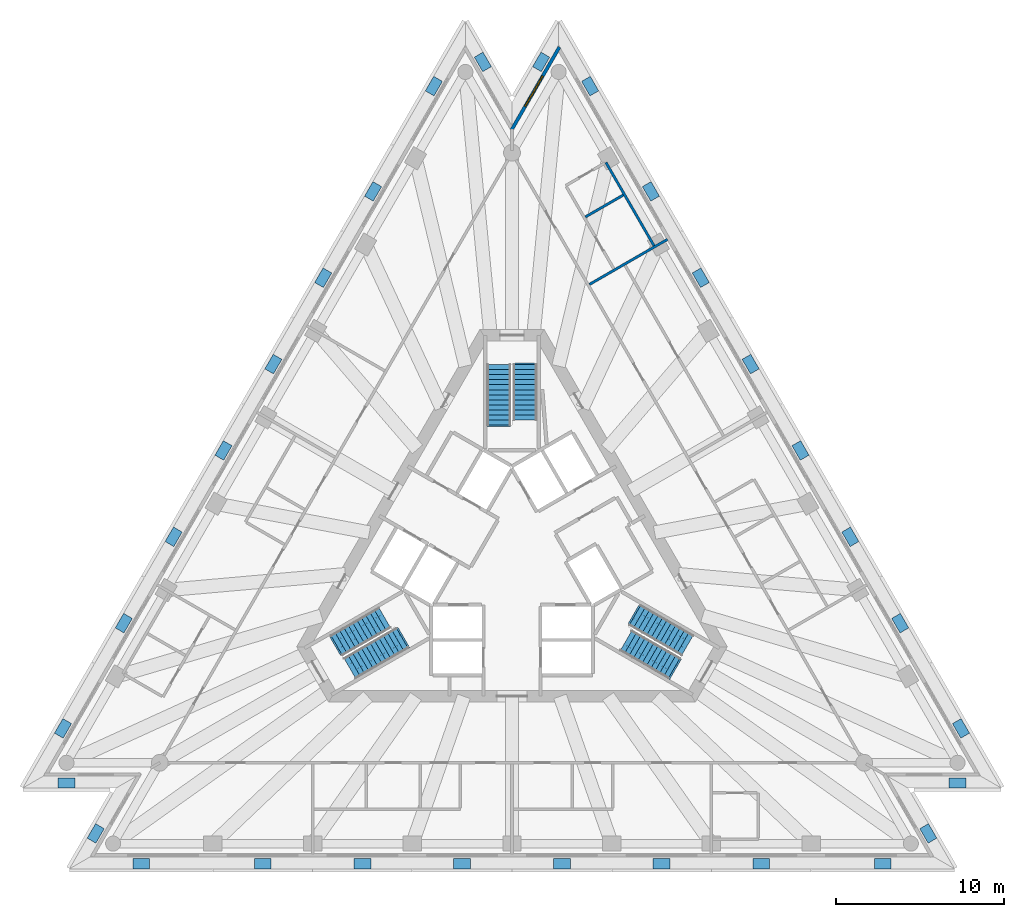
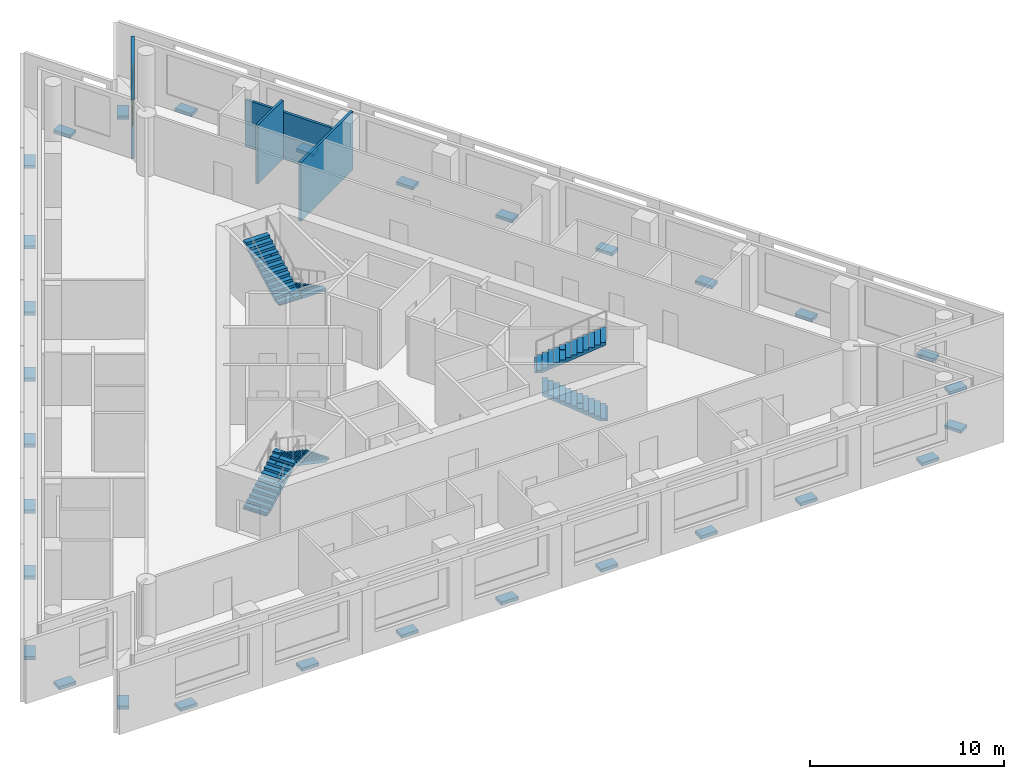
# One storey, part 7 of 9: 30 discrete accessories, 6 stair flights, 4 walls, 1 window, 1 opening, 3 elements without a shape of their own.
"""IFC4 building model written with IfcOpenShell, lengths in metres."""

from ifc_helpers import new_model, si_unit, direction, frame, frame_2d, origin, origin_2d, place, context, subcontext, project, spatial, polyline, rectangle, outline, extrude, material, layer, layer_set, layer_usage, type_object, element, fill, aggregate, save


model = new_model("IFC4")

# Units and contexts
model_context = context("Model", 3, precision=1e-05, world=origin(), true_north=direction((0.0, 1.0)))
body_context = subcontext(model_context, "Body", "Model", "MODEL_VIEW")
ifc_project = project(units=[si_unit("LENGTHUNIT", "METRE"), si_unit("AREAUNIT", "SQUARE_METRE"), si_unit("VOLUMEUNIT", "CUBIC_METRE"), si_unit("PLANEANGLEUNIT", "RADIAN"), si_unit("MASSUNIT", "GRAM", prefix="KILO")], contexts=[model_context])

# Site, building, storey
site_placement = place(None, origin())
site = spatial("IfcSite", under=ifc_project, at=site_placement, CompositionType="ELEMENT")
building_placement = place(site_placement, origin())
building = spatial("IfcBuilding", under=site, at=building_placement, Name="Triada Interchange Tower", CompositionType="ELEMENT")
storey_placement = place(building_placement, frame((0.0, 0.0, 235.300048828125)))
storey = spatial("IfcBuildingStorey", under=building, at=storey_placement, Name="L55", CompositionType="ELEMENT", Elevation=235.300048828125)

# Wall, opening, window
ifc_material_1 = material(Name="Cement board")
ifc_layer_1 = layer(ifc_material_1, 0.02001953125, Name="Cement board cladding")
ifc_material_2 = material(Name="Sheathing board")
ifc_layer_2 = layer(ifc_material_2, 0.014892578125, Name="Sheathing board")
ifc_material_3 = material(Name="Mineral wool")
ifc_layer_3 = layer(ifc_material_3, 0.14990234375, Name="Mineral wool between steel studs")
ifc_material_4 = material(Name="Gypsum board")
ifc_layer_4 = layer(ifc_material_4, 0.014892578125, Name="Plasterboard lining")
ifc_layer_set_1 = layer_set([ifc_layer_1, ifc_layer_2, ifc_layer_3, ifc_layer_4], Name="External wall 200")
ifc_layer_usage = layer_usage(ifc_layer_set_1, "AXIS2", "POSITIVE", -0.10009765625)
wall_type_1 = type_object("IfcWallType", Name="External wall 200", PredefinedType="ELEMENTEDWALL", material=ifc_layer_set_1)
wall_1_placement = place(storey_placement, frame((2.822021484375, 30.5009765625, 0.0), z_axis=(0.0, 0.0, 1.0), x_axis=(-0.49995298266, -0.866052547557, 0.0)))
wall_1 = element("IfcWall", 1, at=wall_1_placement, inside=storey, type_object=wall_type_1, material=ifc_layer_usage, Name="External wall L55 N-1", PredefinedType="ELEMENTEDWALL", context=body_context, shape_type="SweptSolid", body=[
    extrude(rectangle(XDim=5.71435546875, YDim=0.199951171875, at=frame_2d((2.857177734375, 0.0))), origin(), (0.0, 0.0, 1.0), 3.699951171875),
])
opening_placement = place(wall_1_placement, frame((1.989990234375, 0.0, 0.89990234375)))
opening = element("IfcOpeningElement", 2, at=opening_placement, cuts=wall_1, Name="Opening WC29", PredefinedType="OPENING", context=body_context, shape_type="SweptSolid", body=[
    extrude(rectangle(XDim=2.10009765625, YDim=2.5, at=frame_2d((1.050048828125, 1.25))), frame((0.0, 0.10986328125, 0.0), z_axis=(0.0, -1.0, 0.0), x_axis=(1.0, 0.0, 0.0)), (0.0, 0.0, 1.0), 0.219970703125),
])
ifc_material_5 = material(Name="Double glazed aluminium window", Category="aluminium")
window_type = type_object("IfcWindowType", Name="Ribbon window C pocket", PartitioningType="SINGLE_PANEL", PredefinedType="WINDOW", material=ifc_material_5)
window_placement = place(opening_placement, origin())
window = element("IfcWindow", 3, at=window_placement, inside=storey, type_object=window_type, Name="Window L55 N-1 1", OverallHeight=2.5, OverallWidth=2.10009765625, PartitioningType="SINGLE_PANEL", PredefinedType="WINDOW", context=body_context, shape_type="SweptSolid", body=[
    extrude(rectangle(XDim=2.10009765625, YDim=2.5, at=frame_2d((1.050048828125, 1.25))), frame((0.0, 0.030029296875, 0.0), z_axis=(0.0, -1.0, 0.0), x_axis=(1.0, 0.0, 0.0)), (0.0, 0.0, 1.0), 0.06005859375),
])
fill(opening, window)

# Walls
ifc_material_6 = material(Name="Gypsum board partition")
ifc_layer_5 = layer(ifc_material_6, 0.14990234375)
ifc_layer_set_2 = layer_set([ifc_layer_5], Name="PARTITION 150 EI 180")
wall_type_2 = type_object("IfcWallType", Name="PARTITION 150 EI 180", PredefinedType="PARTITIONING", material=ifc_layer_set_2)
wall_2_placement = place(storey_placement, frame((4.60693359375, 16.3701171875, 0.0), z_axis=(0.0, 0.0, 1.0), x_axis=(0.866052151752, 0.499953668299, 0.0)))
element("IfcWall", 4, at=wall_2_placement, inside=storey, type_object=wall_type_2, Name="Wall L53 23", PredefinedType="PARTITIONING", context=body_context, shape_type="SweptSolid", body=[
    extrude(rectangle(XDim=5.3623046875, YDim=0.14990234375, at=frame_2d((2.68115234375, 0.0))), origin(), (0.0, 0.0, 1.0), 3.699951171875),
])
ifc_layer_6 = layer(ifc_material_6, 0.14990234375)
ifc_layer_set_3 = layer_set([ifc_layer_6], Name="PARTITION 150 EI 90")
wall_type_3 = type_object("IfcWallType", Name="PARTITION 150 EI 90", PredefinedType="PARTITIONING", material=ifc_layer_set_3)
wall_3_placement = place(storey_placement, frame((4.365966796875, 20.387939453125, 0.0), z_axis=(0.0, 0.0, 1.0), x_axis=(0.8660749285, 0.499914210863, 0.0)))
element("IfcWall", 5, at=wall_3_placement, inside=storey, type_object=wall_type_3, Name="Wall L53 34", PredefinedType="PARTITIONING", context=body_context, shape_type="SweptSolid", body=[
    extrude(rectangle(XDim=2.6083984375, YDim=0.14990234375, at=frame_2d((1.30419921875, 0.0))), origin(), (0.0, 0.0, 1.0), 3.699951171875),
])
wall_4_placement = place(storey_placement, frame((5.590087890625, 23.635009765625, 0.0), z_axis=(0.0, 0.0, 1.0), x_axis=(0.500037442639, -0.866003785188, 0.0)))
element("IfcWall", 6, at=wall_4_placement, inside=storey, type_object=wall_type_3, Name="Wall L53 35", PredefinedType="PARTITIONING", context=body_context, shape_type="SweptSolid", body=[
    extrude(rectangle(XDim=5.72509765625, YDim=0.14990234375, at=frame_2d((2.862548828125, 0.0))), origin(), (0.0, 0.0, 1.0), 2.949951171875),
])

# Stair, stair flights
ifc_material_7 = material(Name="Concrete C35/45", Category="concrete")
stair_type = type_object("IfcStairType", Name="HALF TURN STAIR 1400", PredefinedType="HALF_TURN_STAIR", material=ifc_material_7)
stair_1_placement = place(storey_placement, origin())
stair_1 = element("IfcStair", 7, at=stair_1_placement, inside=storey, type_object=stair_type, Name="Exit stair S53-1", PredefinedType="HALF_TURN_STAIR")
stair_flight_type = type_object("IfcStairFlightType", Name="STRAIGHT STAIR FLIGHT 1400", PredefinedType="STRAIGHT", material=ifc_material_7)
stair_flight_1_placement = place(storey_placement, frame((0.800048828125, 11.60009765625, 0.0), z_axis=(0.0, 0.0, 1.0), x_axis=(0.0, -1.0, 0.0)))
stair_flight_1 = element("IfcStairFlight", 8, at=stair_flight_1_placement, type_object=stair_flight_type, Name="S53-1 flight 1", NumberOfRisers=12, NumberOfTreads=11, PredefinedType="STRAIGHT", RiserHeight=0.16, TreadLength=0.3, context=body_context, shape_type="SweptSolid", body=[
    extrude(outline(polyline([(-0.10009765625, 0.0), (-0.10009765625, 0.02001953125), (0.0, 0.02001953125), (0.0, 0.159912109375), (0.300048828125, 0.159912109375), (0.300048828125, 0.320068359375), (0.60009765625, 0.320068359375), (0.60009765625, 0.47998046875), (0.89990234375, 0.47998046875), (0.89990234375, 0.639892578125), (1.199951171875, 0.639892578125), (1.199951171875, 0.800048828125), (1.5, 0.800048828125), (1.5, 0.9599609375), (1.800048828125, 0.9599609375), (1.800048828125, 1.1201171875), (2.10009765625, 1.1201171875), (2.10009765625, 1.280029296875), (2.39990234375, 1.280029296875), (2.39990234375, 1.43994140625), (2.699951171875, 1.43994140625), (2.699951171875, 1.60009765625), (3.0, 1.60009765625), (3.0, 1.760009765625), (3.300048828125, 1.760009765625), (3.303955078125, 1.760009765625), (3.303955078125, 1.919921875), (3.303955078125, 1.590087890625), (0.318603515625, 0.0), (-0.10009765625, 0.0)])), frame((0.0, 0.699951171875, 0.0), z_axis=(0.0, -1.0, 0.0), x_axis=(1.0, 0.0, 0.0)), (0.0, 0.0, 1.0), 0.46533203125),
    extrude(outline(polyline([(-0.10009765625, 0.0), (-0.10009765625, 0.02001953125), (0.0, 0.02001953125), (0.0, 0.159912109375), (0.300048828125, 0.159912109375), (0.300048828125, 0.320068359375), (0.60009765625, 0.320068359375), (0.60009765625, 0.47998046875), (0.89990234375, 0.47998046875), (0.89990234375, 0.639892578125), (1.199951171875, 0.639892578125), (1.199951171875, 0.800048828125), (1.5, 0.800048828125), (1.5, 0.9599609375), (1.800048828125, 0.9599609375), (1.800048828125, 1.1201171875), (2.10009765625, 1.1201171875), (2.10009765625, 1.280029296875), (2.39990234375, 1.280029296875), (2.39990234375, 1.43994140625), (2.699951171875, 1.43994140625), (2.699951171875, 1.60009765625), (3.0, 1.60009765625), (3.0, 1.760009765625), (3.300048828125, 1.760009765625), (3.303955078125, 1.760009765625), (3.303955078125, 1.919921875), (3.303955078125, 1.590087890625), (0.318603515625, 0.0), (-0.10009765625, 0.0)])), frame((0.0, 0.232666015625, 0.0), z_axis=(0.0, -1.0, 0.0), x_axis=(1.0, 0.0, 0.0)), (0.0, 0.0, 1.0), 0.46533203125),
    extrude(outline(polyline([(-0.10009765625, 0.0), (-0.10009765625, 0.02001953125), (0.0, 0.02001953125), (0.0, 0.159912109375), (0.300048828125, 0.159912109375), (0.300048828125, 0.320068359375), (0.60009765625, 0.320068359375), (0.60009765625, 0.47998046875), (0.89990234375, 0.47998046875), (0.89990234375, 0.639892578125), (1.199951171875, 0.639892578125), (1.199951171875, 0.800048828125), (1.5, 0.800048828125), (1.5, 0.9599609375), (1.800048828125, 0.9599609375), (1.800048828125, 1.1201171875), (2.10009765625, 1.1201171875), (2.10009765625, 1.280029296875), (2.39990234375, 1.280029296875), (2.39990234375, 1.43994140625), (2.699951171875, 1.43994140625), (2.699951171875, 1.60009765625), (3.0, 1.60009765625), (3.0, 1.760009765625), (3.300048828125, 1.760009765625), (3.303955078125, 1.760009765625), (3.303955078125, 1.919921875), (3.303955078125, 1.590087890625), (0.318603515625, 0.0), (-0.10009765625, 0.0)])), frame((0.0, -0.234619140625, 0.0), z_axis=(0.0, -1.0, 0.0), x_axis=(1.0, 0.0, 0.0)), (0.0, 0.0, 1.0), 0.46533203125),
])
stair_flight_2_placement = place(storey_placement, frame((-0.800048828125, 8.0, 1.919921875), z_axis=(0.0, 0.0, 1.0), x_axis=(0.0, 1.0, 0.0)))
stair_flight_2 = element("IfcStairFlight", 9, at=stair_flight_2_placement, type_object=stair_flight_type, Name="S53-1 flight 2", NumberOfRisers=13, NumberOfTreads=12, PredefinedType="STRAIGHT", RiserHeight=0.16, TreadLength=0.3, context=body_context, shape_type="SweptSolid", body=[
    extrude(outline(polyline([(-0.10009765625, 0.0), (-0.10009765625, 0.02001953125), (0.0, 0.02001953125), (0.0, 0.159912109375), (0.300048828125, 0.159912109375), (0.300048828125, 0.320068359375), (0.60009765625, 0.320068359375), (0.60009765625, 0.47998046875), (0.89990234375, 0.47998046875), (0.89990234375, 0.639892578125), (1.199951171875, 0.639892578125), (1.199951171875, 0.800048828125), (1.5, 0.800048828125), (1.5, 0.9599609375), (1.800048828125, 0.9599609375), (1.800048828125, 1.1201171875), (2.10009765625, 1.1201171875), (2.10009765625, 1.280029296875), (2.39990234375, 1.280029296875), (2.39990234375, 1.43994140625), (2.699951171875, 1.43994140625), (2.699951171875, 1.60009765625), (3.0, 1.60009765625), (3.0, 1.760009765625), (3.300048828125, 1.760009765625), (3.300048828125, 1.919921875), (3.60009765625, 1.919921875), (3.60400390625, 1.919921875), (3.60400390625, 2.080078125), (3.60400390625, 1.75), (0.318603515625, 0.0), (-0.10009765625, 0.0)])), frame((0.0, 0.699951171875, 0.0), z_axis=(0.0, -1.0, 0.0), x_axis=(1.0, 0.0, 0.0)), (0.0, 0.0, 1.0), 0.46533203125),
    extrude(outline(polyline([(-0.10009765625, 0.0), (-0.10009765625, 0.02001953125), (0.0, 0.02001953125), (0.0, 0.159912109375), (0.300048828125, 0.159912109375), (0.300048828125, 0.320068359375), (0.60009765625, 0.320068359375), (0.60009765625, 0.47998046875), (0.89990234375, 0.47998046875), (0.89990234375, 0.639892578125), (1.199951171875, 0.639892578125), (1.199951171875, 0.800048828125), (1.5, 0.800048828125), (1.5, 0.9599609375), (1.800048828125, 0.9599609375), (1.800048828125, 1.1201171875), (2.10009765625, 1.1201171875), (2.10009765625, 1.280029296875), (2.39990234375, 1.280029296875), (2.39990234375, 1.43994140625), (2.699951171875, 1.43994140625), (2.699951171875, 1.60009765625), (3.0, 1.60009765625), (3.0, 1.760009765625), (3.300048828125, 1.760009765625), (3.300048828125, 1.919921875), (3.60009765625, 1.919921875), (3.60400390625, 1.919921875), (3.60400390625, 2.080078125), (3.60400390625, 1.75), (0.318603515625, 0.0), (-0.10009765625, 0.0)])), frame((0.0, 0.232666015625, 0.0), z_axis=(0.0, -1.0, 0.0), x_axis=(1.0, 0.0, 0.0)), (0.0, 0.0, 1.0), 0.46533203125),
    extrude(outline(polyline([(-0.10009765625, 0.0), (-0.10009765625, 0.02001953125), (0.0, 0.02001953125), (0.0, 0.159912109375), (0.300048828125, 0.159912109375), (0.300048828125, 0.320068359375), (0.60009765625, 0.320068359375), (0.60009765625, 0.47998046875), (0.89990234375, 0.47998046875), (0.89990234375, 0.639892578125), (1.199951171875, 0.639892578125), (1.199951171875, 0.800048828125), (1.5, 0.800048828125), (1.5, 0.9599609375), (1.800048828125, 0.9599609375), (1.800048828125, 1.1201171875), (2.10009765625, 1.1201171875), (2.10009765625, 1.280029296875), (2.39990234375, 1.280029296875), (2.39990234375, 1.43994140625), (2.699951171875, 1.43994140625), (2.699951171875, 1.60009765625), (3.0, 1.60009765625), (3.0, 1.760009765625), (3.300048828125, 1.760009765625), (3.300048828125, 1.919921875), (3.60009765625, 1.919921875), (3.60400390625, 1.919921875), (3.60400390625, 2.080078125), (3.60400390625, 1.75), (0.318603515625, 0.0), (-0.10009765625, 0.0)])), frame((0.0, -0.234619140625, 0.0), z_axis=(0.0, -1.0, 0.0), x_axis=(1.0, 0.0, 0.0)), (0.0, 0.0, 1.0), 0.46533203125),
])
aggregate(stair_1, [stair_flight_1, stair_flight_2])

stair_2_placement = place(storey_placement, origin())
stair_2 = element("IfcStair", 10, at=stair_2_placement, inside=storey, type_object=stair_type, Name="Exit stair S53-2", PredefinedType="HALF_TURN_STAIR")
stair_flight_3_placement = place(storey_placement, frame((-10.446044921875, -5.10693359375, 0.0), z_axis=(0.0, 0.0, 1.0), x_axis=(0.866025403784, 0.5, 0.0)))
stair_flight_3 = element("IfcStairFlight", 11, at=stair_flight_3_placement, type_object=stair_flight_type, Name="S53-2 flight 1", NumberOfRisers=12, NumberOfTreads=11, PredefinedType="STRAIGHT", RiserHeight=0.16, TreadLength=0.3, context=body_context, shape_type="SweptSolid", body=[
    extrude(outline(polyline([(-0.10009765625, 0.0), (-0.10009765625, 0.02001953125), (0.0, 0.02001953125), (0.0, 0.159912109375), (0.300048828125, 0.159912109375), (0.300048828125, 0.320068359375), (0.60009765625, 0.320068359375), (0.60009765625, 0.47998046875), (0.89990234375, 0.47998046875), (0.89990234375, 0.639892578125), (1.199951171875, 0.639892578125), (1.199951171875, 0.800048828125), (1.5, 0.800048828125), (1.5, 0.9599609375), (1.800048828125, 0.9599609375), (1.800048828125, 1.1201171875), (2.10009765625, 1.1201171875), (2.10009765625, 1.280029296875), (2.39990234375, 1.280029296875), (2.39990234375, 1.43994140625), (2.699951171875, 1.43994140625), (2.699951171875, 1.60009765625), (3.0, 1.60009765625), (3.0, 1.760009765625), (3.300048828125, 1.760009765625), (3.303955078125, 1.760009765625), (3.303955078125, 1.919921875), (3.303955078125, 1.590087890625), (0.318603515625, 0.0), (-0.10009765625, 0.0)])), frame((0.0, 0.699951171875, 0.0), z_axis=(0.0, -1.0, 0.0), x_axis=(1.0, 0.0, 0.0)), (0.0, 0.0, 1.0), 0.46533203125),
    extrude(outline(polyline([(-0.10009765625, 0.0), (-0.10009765625, 0.02001953125), (0.0, 0.02001953125), (0.0, 0.159912109375), (0.300048828125, 0.159912109375), (0.300048828125, 0.320068359375), (0.60009765625, 0.320068359375), (0.60009765625, 0.47998046875), (0.89990234375, 0.47998046875), (0.89990234375, 0.639892578125), (1.199951171875, 0.639892578125), (1.199951171875, 0.800048828125), (1.5, 0.800048828125), (1.5, 0.9599609375), (1.800048828125, 0.9599609375), (1.800048828125, 1.1201171875), (2.10009765625, 1.1201171875), (2.10009765625, 1.280029296875), (2.39990234375, 1.280029296875), (2.39990234375, 1.43994140625), (2.699951171875, 1.43994140625), (2.699951171875, 1.60009765625), (3.0, 1.60009765625), (3.0, 1.760009765625), (3.300048828125, 1.760009765625), (3.303955078125, 1.760009765625), (3.303955078125, 1.919921875), (3.303955078125, 1.590087890625), (0.318603515625, 0.0), (-0.10009765625, 0.0)])), frame((0.0, 0.232666015625, 0.0), z_axis=(0.0, -1.0, 0.0), x_axis=(1.0, 0.0, 0.0)), (0.0, 0.0, 1.0), 0.46533203125),
    extrude(outline(polyline([(-0.10009765625, 0.0), (-0.10009765625, 0.02001953125), (0.0, 0.02001953125), (0.0, 0.159912109375), (0.300048828125, 0.159912109375), (0.300048828125, 0.320068359375), (0.60009765625, 0.320068359375), (0.60009765625, 0.47998046875), (0.89990234375, 0.47998046875), (0.89990234375, 0.639892578125), (1.199951171875, 0.639892578125), (1.199951171875, 0.800048828125), (1.5, 0.800048828125), (1.5, 0.9599609375), (1.800048828125, 0.9599609375), (1.800048828125, 1.1201171875), (2.10009765625, 1.1201171875), (2.10009765625, 1.280029296875), (2.39990234375, 1.280029296875), (2.39990234375, 1.43994140625), (2.699951171875, 1.43994140625), (2.699951171875, 1.60009765625), (3.0, 1.60009765625), (3.0, 1.760009765625), (3.300048828125, 1.760009765625), (3.303955078125, 1.760009765625), (3.303955078125, 1.919921875), (3.303955078125, 1.590087890625), (0.318603515625, 0.0), (-0.10009765625, 0.0)])), frame((0.0, -0.234619140625, 0.0), z_axis=(0.0, -1.0, 0.0), x_axis=(1.0, 0.0, 0.0)), (0.0, 0.0, 1.0), 0.46533203125),
])
stair_flight_4_placement = place(storey_placement, frame((-6.528076171875, -4.693115234375, 1.919921875), z_axis=(0.0, 0.0, 1.0), x_axis=(-0.866025403784, -0.5, 0.0)))
stair_flight_4 = element("IfcStairFlight", 12, at=stair_flight_4_placement, type_object=stair_flight_type, Name="S53-2 flight 2", NumberOfRisers=13, NumberOfTreads=12, PredefinedType="STRAIGHT", RiserHeight=0.16, TreadLength=0.3, context=body_context, shape_type="SweptSolid", body=[
    extrude(outline(polyline([(-0.10009765625, 0.0), (-0.10009765625, 0.02001953125), (0.0, 0.02001953125), (0.0, 0.159912109375), (0.300048828125, 0.159912109375), (0.300048828125, 0.320068359375), (0.60009765625, 0.320068359375), (0.60009765625, 0.47998046875), (0.89990234375, 0.47998046875), (0.89990234375, 0.639892578125), (1.199951171875, 0.639892578125), (1.199951171875, 0.800048828125), (1.5, 0.800048828125), (1.5, 0.9599609375), (1.800048828125, 0.9599609375), (1.800048828125, 1.1201171875), (2.10009765625, 1.1201171875), (2.10009765625, 1.280029296875), (2.39990234375, 1.280029296875), (2.39990234375, 1.43994140625), (2.699951171875, 1.43994140625), (2.699951171875, 1.60009765625), (3.0, 1.60009765625), (3.0, 1.760009765625), (3.300048828125, 1.760009765625), (3.300048828125, 1.919921875), (3.60009765625, 1.919921875), (3.60400390625, 1.919921875), (3.60400390625, 2.080078125), (3.60400390625, 1.75), (0.318603515625, 0.0), (-0.10009765625, 0.0)])), frame((0.0, 0.699951171875, 0.0), z_axis=(0.0, -1.0, 0.0), x_axis=(1.0, 0.0, 0.0)), (0.0, 0.0, 1.0), 0.46533203125),
    extrude(outline(polyline([(-0.10009765625, 0.0), (-0.10009765625, 0.02001953125), (0.0, 0.02001953125), (0.0, 0.159912109375), (0.300048828125, 0.159912109375), (0.300048828125, 0.320068359375), (0.60009765625, 0.320068359375), (0.60009765625, 0.47998046875), (0.89990234375, 0.47998046875), (0.89990234375, 0.639892578125), (1.199951171875, 0.639892578125), (1.199951171875, 0.800048828125), (1.5, 0.800048828125), (1.5, 0.9599609375), (1.800048828125, 0.9599609375), (1.800048828125, 1.1201171875), (2.10009765625, 1.1201171875), (2.10009765625, 1.280029296875), (2.39990234375, 1.280029296875), (2.39990234375, 1.43994140625), (2.699951171875, 1.43994140625), (2.699951171875, 1.60009765625), (3.0, 1.60009765625), (3.0, 1.760009765625), (3.300048828125, 1.760009765625), (3.300048828125, 1.919921875), (3.60009765625, 1.919921875), (3.60400390625, 1.919921875), (3.60400390625, 2.080078125), (3.60400390625, 1.75), (0.318603515625, 0.0), (-0.10009765625, 0.0)])), frame((0.0, 0.232666015625, 0.0), z_axis=(0.0, -1.0, 0.0), x_axis=(1.0, 0.0, 0.0)), (0.0, 0.0, 1.0), 0.46533203125),
    extrude(outline(polyline([(-0.10009765625, 0.0), (-0.10009765625, 0.02001953125), (0.0, 0.02001953125), (0.0, 0.159912109375), (0.300048828125, 0.159912109375), (0.300048828125, 0.320068359375), (0.60009765625, 0.320068359375), (0.60009765625, 0.47998046875), (0.89990234375, 0.47998046875), (0.89990234375, 0.639892578125), (1.199951171875, 0.639892578125), (1.199951171875, 0.800048828125), (1.5, 0.800048828125), (1.5, 0.9599609375), (1.800048828125, 0.9599609375), (1.800048828125, 1.1201171875), (2.10009765625, 1.1201171875), (2.10009765625, 1.280029296875), (2.39990234375, 1.280029296875), (2.39990234375, 1.43994140625), (2.699951171875, 1.43994140625), (2.699951171875, 1.60009765625), (3.0, 1.60009765625), (3.0, 1.760009765625), (3.300048828125, 1.760009765625), (3.300048828125, 1.919921875), (3.60009765625, 1.919921875), (3.60400390625, 1.919921875), (3.60400390625, 2.080078125), (3.60400390625, 1.75), (0.318603515625, 0.0), (-0.10009765625, 0.0)])), frame((0.0, -0.234619140625, 0.0), z_axis=(0.0, -1.0, 0.0), x_axis=(1.0, 0.0, 0.0)), (0.0, 0.0, 1.0), 0.46533203125),
])
aggregate(stair_2, [stair_flight_3, stair_flight_4])

stair_3_placement = place(storey_placement, origin())
stair_3 = element("IfcStair", 13, at=stair_3_placement, inside=storey, type_object=stair_type, Name="Exit stair S53-3", PredefinedType="HALF_TURN_STAIR")
stair_flight_5_placement = place(storey_placement, frame((9.64599609375, -6.492919921875, 0.0), z_axis=(0.0, 0.0, 1.0), x_axis=(-0.866025403784, 0.5, 0.0)))
stair_flight_5 = element("IfcStairFlight", 14, at=stair_flight_5_placement, type_object=stair_flight_type, Name="S53-3 flight 1", NumberOfRisers=12, NumberOfTreads=11, PredefinedType="STRAIGHT", RiserHeight=0.16, TreadLength=0.3, context=body_context, shape_type="SweptSolid", body=[
    extrude(outline(polyline([(-0.10009765625, 0.0), (-0.10009765625, 0.02001953125), (0.0, 0.02001953125), (0.0, 0.159912109375), (0.300048828125, 0.159912109375), (0.300048828125, 0.320068359375), (0.60009765625, 0.320068359375), (0.60009765625, 0.47998046875), (0.89990234375, 0.47998046875), (0.89990234375, 0.639892578125), (1.199951171875, 0.639892578125), (1.199951171875, 0.800048828125), (1.5, 0.800048828125), (1.5, 0.9599609375), (1.800048828125, 0.9599609375), (1.800048828125, 1.1201171875), (2.10009765625, 1.1201171875), (2.10009765625, 1.280029296875), (2.39990234375, 1.280029296875), (2.39990234375, 1.43994140625), (2.699951171875, 1.43994140625), (2.699951171875, 1.60009765625), (3.0, 1.60009765625), (3.0, 1.760009765625), (3.300048828125, 1.760009765625), (3.303955078125, 1.760009765625), (3.303955078125, 1.919921875), (3.303955078125, 1.590087890625), (0.318603515625, 0.0), (-0.10009765625, 0.0)])), frame((0.0, 0.699951171875, 0.0), z_axis=(0.0, -1.0, 0.0), x_axis=(1.0, 0.0, 0.0)), (0.0, 0.0, 1.0), 0.46533203125),
    extrude(outline(polyline([(-0.10009765625, 0.0), (-0.10009765625, 0.02001953125), (0.0, 0.02001953125), (0.0, 0.159912109375), (0.300048828125, 0.159912109375), (0.300048828125, 0.320068359375), (0.60009765625, 0.320068359375), (0.60009765625, 0.47998046875), (0.89990234375, 0.47998046875), (0.89990234375, 0.639892578125), (1.199951171875, 0.639892578125), (1.199951171875, 0.800048828125), (1.5, 0.800048828125), (1.5, 0.9599609375), (1.800048828125, 0.9599609375), (1.800048828125, 1.1201171875), (2.10009765625, 1.1201171875), (2.10009765625, 1.280029296875), (2.39990234375, 1.280029296875), (2.39990234375, 1.43994140625), (2.699951171875, 1.43994140625), (2.699951171875, 1.60009765625), (3.0, 1.60009765625), (3.0, 1.760009765625), (3.300048828125, 1.760009765625), (3.303955078125, 1.760009765625), (3.303955078125, 1.919921875), (3.303955078125, 1.590087890625), (0.318603515625, 0.0), (-0.10009765625, 0.0)])), frame((0.0, 0.232666015625, 0.0), z_axis=(0.0, -1.0, 0.0), x_axis=(1.0, 0.0, 0.0)), (0.0, 0.0, 1.0), 0.46533203125),
    extrude(outline(polyline([(-0.10009765625, 0.0), (-0.10009765625, 0.02001953125), (0.0, 0.02001953125), (0.0, 0.159912109375), (0.300048828125, 0.159912109375), (0.300048828125, 0.320068359375), (0.60009765625, 0.320068359375), (0.60009765625, 0.47998046875), (0.89990234375, 0.47998046875), (0.89990234375, 0.639892578125), (1.199951171875, 0.639892578125), (1.199951171875, 0.800048828125), (1.5, 0.800048828125), (1.5, 0.9599609375), (1.800048828125, 0.9599609375), (1.800048828125, 1.1201171875), (2.10009765625, 1.1201171875), (2.10009765625, 1.280029296875), (2.39990234375, 1.280029296875), (2.39990234375, 1.43994140625), (2.699951171875, 1.43994140625), (2.699951171875, 1.60009765625), (3.0, 1.60009765625), (3.0, 1.760009765625), (3.300048828125, 1.760009765625), (3.303955078125, 1.760009765625), (3.303955078125, 1.919921875), (3.303955078125, 1.590087890625), (0.318603515625, 0.0), (-0.10009765625, 0.0)])), frame((0.0, -0.234619140625, 0.0), z_axis=(0.0, -1.0, 0.0), x_axis=(1.0, 0.0, 0.0)), (0.0, 0.0, 1.0), 0.46533203125),
])
stair_flight_6_placement = place(storey_placement, frame((7.327880859375, -3.306884765625, 1.919921875), z_axis=(0.0, 0.0, 1.0), x_axis=(0.866025403784, -0.5, 0.0)))
stair_flight_6 = element("IfcStairFlight", 15, at=stair_flight_6_placement, type_object=stair_flight_type, Name="S53-3 flight 2", NumberOfRisers=13, NumberOfTreads=12, PredefinedType="STRAIGHT", RiserHeight=0.16, TreadLength=0.3, context=body_context, shape_type="SweptSolid", body=[
    extrude(outline(polyline([(-0.10009765625, 0.0), (-0.10009765625, 0.02001953125), (0.0, 0.02001953125), (0.0, 0.159912109375), (0.300048828125, 0.159912109375), (0.300048828125, 0.320068359375), (0.60009765625, 0.320068359375), (0.60009765625, 0.47998046875), (0.89990234375, 0.47998046875), (0.89990234375, 0.639892578125), (1.199951171875, 0.639892578125), (1.199951171875, 0.800048828125), (1.5, 0.800048828125), (1.5, 0.9599609375), (1.800048828125, 0.9599609375), (1.800048828125, 1.1201171875), (2.10009765625, 1.1201171875), (2.10009765625, 1.280029296875), (2.39990234375, 1.280029296875), (2.39990234375, 1.43994140625), (2.699951171875, 1.43994140625), (2.699951171875, 1.60009765625), (3.0, 1.60009765625), (3.0, 1.760009765625), (3.300048828125, 1.760009765625), (3.300048828125, 1.919921875), (3.60009765625, 1.919921875), (3.60400390625, 1.919921875), (3.60400390625, 2.080078125), (3.60400390625, 1.75), (0.318603515625, 0.0), (-0.10009765625, 0.0)])), frame((0.0, 0.699951171875, 0.0), z_axis=(0.0, -1.0, 0.0), x_axis=(1.0, 0.0, 0.0)), (0.0, 0.0, 1.0), 0.46533203125),
    extrude(outline(polyline([(-0.10009765625, 0.0), (-0.10009765625, 0.02001953125), (0.0, 0.02001953125), (0.0, 0.159912109375), (0.300048828125, 0.159912109375), (0.300048828125, 0.320068359375), (0.60009765625, 0.320068359375), (0.60009765625, 0.47998046875), (0.89990234375, 0.47998046875), (0.89990234375, 0.639892578125), (1.199951171875, 0.639892578125), (1.199951171875, 0.800048828125), (1.5, 0.800048828125), (1.5, 0.9599609375), (1.800048828125, 0.9599609375), (1.800048828125, 1.1201171875), (2.10009765625, 1.1201171875), (2.10009765625, 1.280029296875), (2.39990234375, 1.280029296875), (2.39990234375, 1.43994140625), (2.699951171875, 1.43994140625), (2.699951171875, 1.60009765625), (3.0, 1.60009765625), (3.0, 1.760009765625), (3.300048828125, 1.760009765625), (3.300048828125, 1.919921875), (3.60009765625, 1.919921875), (3.60400390625, 1.919921875), (3.60400390625, 2.080078125), (3.60400390625, 1.75), (0.318603515625, 0.0), (-0.10009765625, 0.0)])), frame((0.0, 0.232666015625, 0.0), z_axis=(0.0, -1.0, 0.0), x_axis=(1.0, 0.0, 0.0)), (0.0, 0.0, 1.0), 0.46533203125),
    extrude(outline(polyline([(-0.10009765625, 0.0), (-0.10009765625, 0.02001953125), (0.0, 0.02001953125), (0.0, 0.159912109375), (0.300048828125, 0.159912109375), (0.300048828125, 0.320068359375), (0.60009765625, 0.320068359375), (0.60009765625, 0.47998046875), (0.89990234375, 0.47998046875), (0.89990234375, 0.639892578125), (1.199951171875, 0.639892578125), (1.199951171875, 0.800048828125), (1.5, 0.800048828125), (1.5, 0.9599609375), (1.800048828125, 0.9599609375), (1.800048828125, 1.1201171875), (2.10009765625, 1.1201171875), (2.10009765625, 1.280029296875), (2.39990234375, 1.280029296875), (2.39990234375, 1.43994140625), (2.699951171875, 1.43994140625), (2.699951171875, 1.60009765625), (3.0, 1.60009765625), (3.0, 1.760009765625), (3.300048828125, 1.760009765625), (3.300048828125, 1.919921875), (3.60009765625, 1.919921875), (3.60400390625, 1.919921875), (3.60400390625, 2.080078125), (3.60400390625, 1.75), (0.318603515625, 0.0), (-0.10009765625, 0.0)])), frame((0.0, -0.234619140625, 0.0), z_axis=(0.0, -1.0, 0.0), x_axis=(1.0, 0.0, 0.0)), (0.0, 0.0, 1.0), 0.46533203125),
])
aggregate(stair_3, [stair_flight_5, stair_flight_6])

# Discrete accessories
ifc_material_8 = material(Name="Steel S355", Category="steel")
discrete_accessory_type = type_object("IfcDiscreteAccessoryType", Name="Steel bracket outer skin", PredefinedType="BRACKET", material=ifc_material_8)
for number, where, z_axis, x_axis, name in (
    (16, (-4.65087890625, 28.177001953125, -0.27001953125), (0.0, 0.0, 1.0), (-0.866014154918, 0.500019483102, 0.0), "Bracket L55 01"),
    (17, (-8.26904296875, 21.910888671875, -0.27001953125), (0.0, 0.0, 1.0), (-0.866014154918, 0.500019483102, 0.0), "Bracket L55 02"),
    (18, (-11.237060546875, 16.77001953125, -0.27001953125), (0.0, 0.0, 1.0), (-0.866014154918, 0.500019483102, 0.0), "Bracket L55 03"),
    (19, (-14.2060546875, 11.62890625, -0.27001953125), (0.0, 0.0, 1.0), (-0.866014154918, 0.500019483102, 0.0), "Bracket L55 04"),
    (20, (-17.174072265625, 6.488037109375, -0.27001953125), (0.0, 0.0, 1.0), (-0.866014154918, 0.500019483102, 0.0), "Bracket L55 05"),
    (21, (-20.14208984375, 1.346923828125, -0.27001953125), (0.0, 0.0, 1.0), (-0.866014154918, 0.500019483102, 0.0), "Bracket L55 06"),
    (22, (-23.111083984375, -3.7939453125, -0.27001953125), (0.0, 0.0, 1.0), (-0.866014154918, 0.500019483102, 0.0), "Bracket L55 07"),
    (23, (-26.72900390625, -10.06005859375, -0.27001953125), (0.0, 0.0, 1.0), (-0.866014154918, 0.500019483102, 0.0), "Bracket L55 08"),
    (24, (-26.51806640625, -13.305908203125, -0.27001953125), (0.0, 0.0, 1.0), (0.0, -1.0, 0.0), "Bracket L55 09"),
    (25, (-24.781982421875, -16.31103515625, -0.27001953125), (0.0, 0.0, 1.0), (-0.86607467895, 0.499914643197, 0.0), "Bracket L55 10"),
    (26, (-22.076904296875, -18.116943359375, -0.27001953125), (0.0, 0.0, 1.0), (0.0, -1.0, 0.0), "Bracket L55 11"),
    (27, (-14.841064453125, -18.116943359375, -0.27001953125), (0.0, 0.0, 1.0), (0.0, -1.0, 0.0), "Bracket L55 12"),
    (28, (-8.905029296875, -18.116943359375, -0.27001953125), (0.0, 0.0, 1.0), (0.0, -1.0, 0.0), "Bracket L55 13"),
    (29, (-2.968017578125, -18.116943359375, -0.27001953125), (0.0, 0.0, 1.0), (0.0, -1.0, 0.0), "Bracket L55 14"),
    (30, (2.968017578125, -18.116943359375, -0.27001953125), (0.0, 0.0, 1.0), (0.0, -1.0, 0.0), "Bracket L55 15"),
    (31, (8.905029296875, -18.116943359375, -0.27001953125), (0.0, 0.0, 1.0), (0.0, -1.0, 0.0), "Bracket L55 16"),
    (32, (14.841064453125, -18.116943359375, -0.27001953125), (0.0, 0.0, 1.0), (0.0, -1.0, 0.0), "Bracket L55 17"),
    (33, (22.076904296875, -18.116943359375, -0.27001953125), (0.0, 0.0, 1.0), (0.0, -1.0, 0.0), "Bracket L55 18"),
    (34, (24.781982421875, -16.31103515625, -0.27001953125), (0.0, 0.0, 1.0), (0.86607467895, 0.499914643197, 0.0), "Bracket L55 19"),
    (35, (26.51806640625, -13.305908203125, -0.27001953125), (0.0, 0.0, 1.0), (0.0, -1.0, 0.0), "Bracket L55 20"),
    (36, (26.72900390625, -10.06005859375, -0.27001953125), (0.0, 0.0, 1.0), (0.866014154918, 0.500019483102, 0.0), "Bracket L55 21"),
    (37, (23.111083984375, -3.7939453125, -0.27001953125), (0.0, 0.0, 1.0), (0.866014154918, 0.500019483102, 0.0), "Bracket L55 22"),
    (38, (20.14208984375, 1.346923828125, -0.27001953125), (0.0, 0.0, 1.0), (0.866014154918, 0.500019483102, 0.0), "Bracket L55 23"),
    (39, (17.174072265625, 6.488037109375, -0.27001953125), (0.0, 0.0, 1.0), (0.866014154918, 0.500019483102, 0.0), "Bracket L55 24"),
    (40, (14.2060546875, 11.62890625, -0.27001953125), (0.0, 0.0, 1.0), (0.866014154918, 0.500019483102, 0.0), "Bracket L55 25"),
    (41, (11.237060546875, 16.77001953125, -0.27001953125), (0.0, 0.0, 1.0), (0.866014154918, 0.500019483102, 0.0), "Bracket L55 26"),
    (42, (8.26904296875, 21.910888671875, -0.27001953125), (0.0, 0.0, 1.0), (0.866014154918, 0.500019483102, 0.0), "Bracket L55 27"),
    (43, (4.65087890625, 28.177001953125, -0.27001953125), (0.0, 0.0, 1.0), (0.866014154918, 0.500019483102, 0.0), "Bracket L55 28"),
    (44, (1.735107421875, 29.617919921875, -0.27001953125), (0.0, 0.0, 1.0), (-0.866029679809, 0.499992593634, 0.0), "Bracket L55 29"),
    (45, (-1.735107421875, 29.617919921875, -0.27001953125), (0.0, 0.0, 1.0), (0.866029679809, 0.499992593634, 0.0), "Bracket L55 30"),
):
    element("IfcDiscreteAccessory", number, at=place(storey_placement, frame(where, z_axis=z_axis, x_axis=x_axis)), inside=storey, type_object=discrete_accessory_type, Name=name, PredefinedType="BRACKET", context=body_context, shape_type="SweptSolid", body=[
        extrude(rectangle(XDim=0.60009765625, YDim=1.0, at=origin_2d()), origin(), (0.0, 0.0, 1.0), 0.199951171875),
    ])

save(model, "model.ifc")
